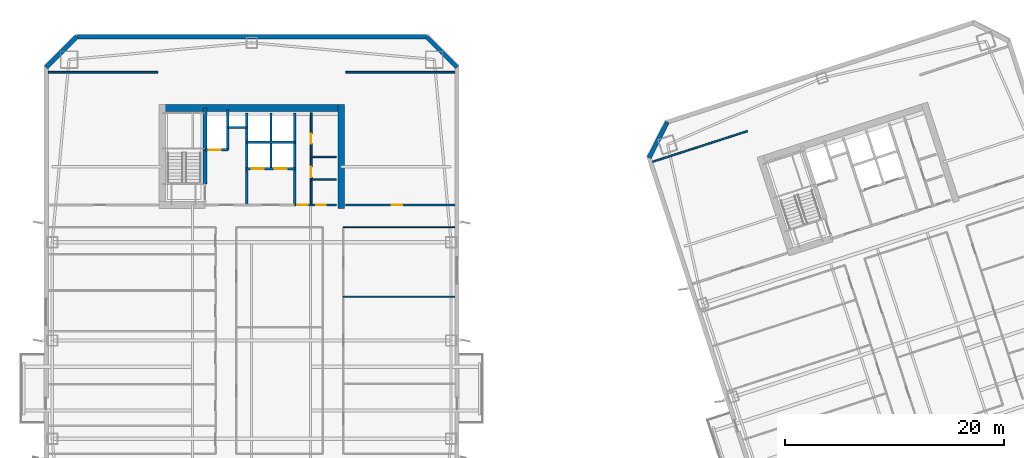
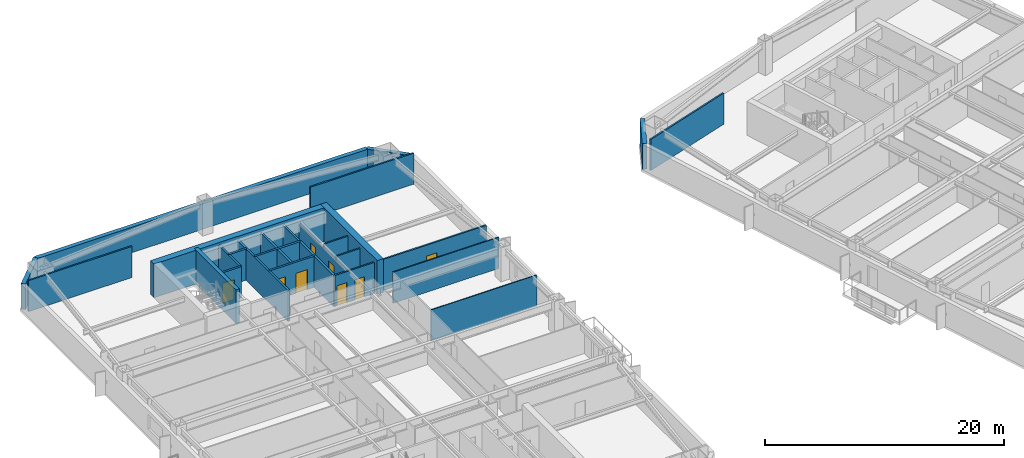
# One storey, part 6 of 16: 25 walls, 8 doors, 8 openings.
"""IFC4 building model written with IfcOpenShell, lengths in metres."""

from ifc_helpers import new_model, si_unit, direction, frame, frame_2d, origin, place, context, subcontext, project, spatial, rectangle, extrude, material, layer, layer_set, type_object, element, fill, save


model = new_model("IFC4")

# Units and contexts
model_context = context("Model", 3, precision=1e-05, world=origin(), true_north=direction((0.0, 1.0)))
body_context = subcontext(model_context, "Body", "Model", "MODEL_VIEW")
ifc_project = project(units=[si_unit("LENGTHUNIT", "METRE"), si_unit("AREAUNIT", "SQUARE_METRE"), si_unit("VOLUMEUNIT", "CUBIC_METRE"), si_unit("PLANEANGLEUNIT", "RADIAN"), si_unit("MASSUNIT", "GRAM", prefix="KILO")], contexts=[model_context])

# Site, building, storey
site_placement = place(None, origin())
site = spatial("IfcSite", under=ifc_project, at=site_placement, CompositionType="ELEMENT")
building_placement = place(site_placement, origin())
building = spatial("IfcBuilding", under=site, at=building_placement, Name="Qiaolan Cultural Towers", CompositionType="ELEMENT")
storey_placement = place(building_placement, frame((0.0, 0.0, 110.39990234375)))
storey = spatial("IfcBuildingStorey", under=building, at=storey_placement, Name="L28", CompositionType="ELEMENT", Elevation=110.39990234375)

# Walls
ifc_material_1 = material(Name="Concrete C50", Category="concrete")
ifc_layer_1 = layer(ifc_material_1, 0.35009765625)
ifc_layer_set_1 = layer_set([ifc_layer_1], Name="Concrete C50")
wall_type_1 = type_object("IfcWallType", Name="WL-CORE-350", PredefinedType="SHEAR", material=ifc_layer_set_1)
wall_1_placement = place(storey_placement, frame((25.719970703125, 48.300048828125, 0.0), z_axis=(0.0, 0.0, 1.0), x_axis=(0.0, 1.0, 0.0)))
element("IfcWall", 1, at=wall_1_placement, inside=storey, type_object=wall_type_1, Name="L28 T1-CN Stair Core Dividing Web", PredefinedType="SHEAR", context=body_context, shape_type="SweptSolid", body=[
    extrude(rectangle(XDim=6.97998046875, YDim=0.35009765625, at=frame_2d((3.489990234375, 0.0))), origin(), (0.0, 0.0, 1.0), 3.4501953125),
])
ifc_material_2 = material(Name="Concrete C55", Category="concrete")
ifc_layer_2 = layer(ifc_material_2, 0.60009765625)
ifc_layer_set_2 = layer_set([ifc_layer_2], Name="Concrete C55")
wall_type_2 = type_object("IfcWallType", Name="WL-CORE-600", PredefinedType="SHEAR", material=ifc_layer_set_2)
wall_2_placement = place(storey_placement, frame((21.5, 55.280029296875, 0.0), z_axis=(0.0, 0.0, 1.0), x_axis=(1.0, 0.0, 0.0)))
element("IfcWall", 2, at=wall_2_placement, inside=storey, type_object=wall_type_2, Name="L28 T1-CN Outer Core Shear Wall", PredefinedType="SHEAR", context=body_context, shape_type="SweptSolid", body=[
    extrude(rectangle(XDim=17.0, YDim=0.60009765625, at=frame_2d((8.5, 0.0))), origin(), (0.0, 0.0, 1.0), 3.4501953125),
])
wall_3_placement = place(storey_placement, frame((38.199951171875, 46.10009765625, 0.0), z_axis=(0.0, 0.0, 1.0), x_axis=(0.0, 1.0, 0.0)))
element("IfcWall", 3, at=wall_3_placement, inside=storey, type_object=wall_type_2, Name="L28 T1-CN East Core Shear Wall", PredefinedType="SHEAR", context=body_context, shape_type="SweptSolid", body=[
    extrude(rectangle(XDim=9.47998046875, YDim=0.60009765625, at=frame_2d((4.739990234375, 0.0))), origin(), (0.0, 0.0, 1.0), 3.4501953125),
])
ifc_material_3 = material(Name="Precast Concrete C50 Honed Stone Pier", Category="masonry")
ifc_layer_3 = layer(ifc_material_3, 0.39990234375)
ifc_layer_set_3 = layer_set([ifc_layer_3], Name="Precast Concrete C50 Honed Stone Pier")
wall_type_3 = type_object("IfcWallType", Name="WL-EXT-PIER-400", PredefinedType="SOLIDWALL", material=ifc_layer_set_3)
wall_4_placement = place(storey_placement, frame((11.199951171875, 59.0, 0.0), z_axis=(0.0, 0.0, 1.0), x_axis=(0.707106781187, 0.707106781187, 0.0)))
element("IfcWall", 4, at=wall_4_placement, inside=storey, type_object=wall_type_3, Name="L28 West Tower Precast Pier Facade Wall F2", PredefinedType="SOLIDWALL", context=body_context, shape_type="SweptSolid", body=[
    extrude(rectangle(XDim=3.9599609375, YDim=0.39990234375, at=frame_2d((1.97998046875, 0.0))), origin(), (0.0, 0.0, 1.0), 2.610107421875),
])
wall_5_placement = place(storey_placement, frame((14.0, 61.800048828125, 0.0), z_axis=(0.0, 0.0, 1.0), x_axis=(1.0, 0.0, 0.0)))
element("IfcWall", 5, at=wall_5_placement, inside=storey, type_object=wall_type_3, Name="L28 West Tower Precast Pier Facade Wall F3", PredefinedType="SOLIDWALL", context=body_context, shape_type="SweptSolid", body=[
    extrude(rectangle(XDim=32.0, YDim=0.39990234375, at=frame_2d((16.0, 0.0))), origin(), (0.0, 0.0, 1.0), 2.610107421875),
])
wall_6_placement = place(storey_placement, frame((46.0, 61.800048828125, 0.0), z_axis=(0.0, 0.0, 1.0), x_axis=(0.707106781187, -0.707106781187, 0.0)))
element("IfcWall", 6, at=wall_6_placement, inside=storey, type_object=wall_type_3, Name="L28 West Tower Precast Pier Facade Wall F4", PredefinedType="SOLIDWALL", context=body_context, shape_type="SweptSolid", body=[
    extrude(rectangle(XDim=3.9599609375, YDim=0.39990234375, at=frame_2d((1.97998046875, 0.0))), origin(), (0.0, 0.0, 1.0), 2.610107421875),
])
wall_7_placement = place(storey_placement, frame((66.37744140625, 50.718505859375, 0.0), z_axis=(0.0, 0.0, 1.0), x_axis=(0.454026238093, 0.890988313685, 0.0)))
element("IfcWall", 7, at=wall_7_placement, inside=storey, type_object=wall_type_3, Name="L28 East Tower Precast Pier Facade Wall F2", PredefinedType="SOLIDWALL", context=body_context, shape_type="SweptSolid", body=[
    extrude(rectangle(XDim=3.677001953125, YDim=0.39990234375, at=frame_2d((1.83837890625, 0.0))), origin(), (0.0, 0.0, 1.0), 2.610107421875),
])
ifc_material_4 = material(Name="Concrete C35 Fire Wall", Category="concrete")
ifc_layer_4 = layer(ifc_material_4, 0.199951171875)
ifc_layer_set_4 = layer_set([ifc_layer_4], Name="Concrete C35 Fire Wall")
wall_type_4 = type_object("IfcWallType", Name="WL-FIRE-200", PredefinedType="PARTITIONING", material=ifc_layer_set_4)
wall_8_placement = place(storey_placement, frame((29.550048828125, 46.39990234375, 0.0), z_axis=(0.0, 0.0, 1.0), x_axis=(0.0, 1.0, 0.0)))
element("IfcWall", 8, at=wall_8_placement, inside=storey, type_object=wall_type_4, Name="L28 T1-CN Firefighting Zone Wall", PredefinedType="PARTITIONING", context=body_context, shape_type="SweptSolid", body=[
    extrude(rectangle(XDim=8.43017578125, YDim=0.199951171875, at=frame_2d((4.215087890625, 0.0))), origin(), (0.0, 0.0, 1.0), 3.175048828125),
])

# Wall, opening, door
wall_9_placement = place(storey_placement, frame((25.719970703125, 51.449951171875, 0.0), z_axis=(0.0, 0.0, 1.0), x_axis=(1.0, 0.0, 0.0)))
wall_9 = element("IfcWall", 9, at=wall_9_placement, inside=storey, type_object=wall_type_4, Name="L28 T1-CN Firefighting Shaft Front Wall", PredefinedType="PARTITIONING", context=body_context, shape_type="SweptSolid", body=[
    extrude(rectangle(XDim=2.10009765625, YDim=0.199951171875, at=frame_2d((1.050048828125, 0.0))), origin(), (0.0, 0.0, 1.0), 3.175048828125),
])
opening_1_placement = place(wall_9_placement, frame((0.35009765625, 0.0, 0.0)))
opening_1 = element("IfcOpeningElement", 10, at=opening_1_placement, cuts=wall_9, Name="Opening LD-01", PredefinedType="OPENING", context=body_context, shape_type="SweptSolid", body=[
    extrude(rectangle(XDim=1.10009765625, YDim=2.050048828125, at=frame_2d((0.550048828125, 1.02490234375))), frame((0.0, 0.10986328125, 0.0), z_axis=(0.0, -1.0, 0.0), x_axis=(1.0, 0.0, 0.0)), (0.0, 0.0, 1.0), 0.219970703125),
])
ifc_material_5 = material(Name="Brushed Stainless Steel S30408 Centre-Parting Lift Landing Door", Category="steel")
door_type_1 = type_object("IfcDoorType", Name="DR-LIFT-1100", OperationType="NOTDEFINED", PredefinedType="DOOR", material=ifc_material_5)
door_1_placement = place(opening_1_placement, origin())
door_1 = element("IfcDoor", 11, at=door_1_placement, inside=storey, type_object=door_type_1, Name="L28 FFL-W2 Firefighting Lift Landing Door", OperationType="DOUBLE_DOOR_SLIDING", OverallHeight=2.050048828125, OverallWidth=1.10009765625, PredefinedType="DOOR", context=body_context, shape_type="SweptSolid", body=[
    extrude(rectangle(XDim=1.10009765625, YDim=2.050048828125, at=frame_2d((0.550048828125, 1.02490234375))), frame((0.0, 0.02490234375, 0.0), z_axis=(0.0, -1.0, 0.0), x_axis=(1.0, 0.0, 0.0)), (0.0, 0.0, 1.0), 0.050048828125),
])
fill(opening_1, door_1)

# Walls
wall_10_placement = place(storey_placement, frame((27.820068359375, 51.449951171875, 0.0), z_axis=(0.0, 0.0, 1.0), x_axis=(0.0, 1.0, 0.0)))
element("IfcWall", 12, at=wall_10_placement, inside=storey, type_object=wall_type_4, Name="L28 T1-CN Firefighting Hoistway East Wall", PredefinedType="PARTITIONING", context=body_context, shape_type="SweptSolid", body=[
    extrude(rectangle(XDim=3.699951171875, YDim=0.199951171875, at=frame_2d((1.85009765625, 0.0))), origin(), (0.0, 0.0, 1.0), 3.175048828125),
])
wall_11_placement = place(storey_placement, frame((27.820068359375, 53.47998046875, 0.0), z_axis=(0.0, 0.0, 1.0), x_axis=(1.0, 0.0, 0.0)))
element("IfcWall", 13, at=wall_11_placement, inside=storey, type_object=wall_type_4, Name="L28 T1-CN Pressurization Shaft Front Wall", PredefinedType="PARTITIONING", context=body_context, shape_type="SweptSolid", body=[
    extrude(rectangle(XDim=1.72998046875, YDim=0.199951171875, at=frame_2d((0.864990234375, 0.0))), origin(), (0.0, 0.0, 1.0), 3.175048828125),
])
wall_12_placement = place(storey_placement, frame((33.949951171875, 46.39990234375, 0.0), z_axis=(0.0, 0.0, 1.0), x_axis=(0.0, 1.0, 0.0)))
element("IfcWall", 14, at=wall_12_placement, inside=storey, type_object=wall_type_4, Name="L28 T1-CN Lift Core East Wall", PredefinedType="PARTITIONING", context=body_context, shape_type="SweptSolid", body=[
    extrude(rectangle(XDim=8.43017578125, YDim=0.199951171875, at=frame_2d((4.215087890625, 0.0))), origin(), (0.0, 0.0, 1.0), 3.175048828125),
])

# Wall, openings, doors
wall_13_placement = place(storey_placement, frame((29.550048828125, 49.719970703125, 0.0), z_axis=(0.0, 0.0, 1.0), x_axis=(1.0, 0.0, 0.0)))
wall_13 = element("IfcWall", 15, at=wall_13_placement, inside=storey, type_object=wall_type_4, Name="L28 T1-CN Passenger Lift Shaft Front Wall", PredefinedType="PARTITIONING", context=body_context, shape_type="SweptSolid", body=[
    extrude(rectangle(XDim=4.39990234375, YDim=0.199951171875, at=frame_2d((2.199951171875, 0.0))), origin(), (0.0, 0.0, 1.0), 3.175048828125),
])
opening_2_placement = place(wall_13_placement, frame((0.449951171875, 0.0, 0.0)))
opening_2 = element("IfcOpeningElement", 16, at=opening_2_placement, cuts=wall_13, Name="Opening LD-01", PredefinedType="OPENING", context=body_context, shape_type="SweptSolid", body=[
    extrude(rectangle(XDim=1.10009765625, YDim=2.050048828125, at=frame_2d((0.550048828125, 1.02490234375))), frame((0.0, 0.10986328125, 0.0), z_axis=(0.0, -1.0, 0.0), x_axis=(1.0, 0.0, 0.0)), (0.0, 0.0, 1.0), 0.219970703125),
])
opening_3_placement = place(wall_13_placement, frame((2.550048828125, 0.0, 0.0)))
opening_3 = element("IfcOpeningElement", 17, at=opening_3_placement, cuts=wall_13, Name="Opening LD-01", PredefinedType="OPENING", context=body_context, shape_type="SweptSolid", body=[
    extrude(rectangle(XDim=1.10009765625, YDim=2.050048828125, at=frame_2d((0.550048828125, 1.02490234375))), frame((0.0, 0.10986328125, 0.0), z_axis=(0.0, -1.0, 0.0), x_axis=(1.0, 0.0, 0.0)), (0.0, 0.0, 1.0), 0.219970703125),
])
door_2_placement = place(opening_2_placement, origin())
door_2 = element("IfcDoor", 18, at=door_2_placement, inside=storey, type_object=door_type_1, Name="L28 Passenger Lift 1 Landing Door", OperationType="DOUBLE_DOOR_SLIDING", OverallHeight=2.050048828125, OverallWidth=1.10009765625, PredefinedType="DOOR", context=body_context, shape_type="SweptSolid", body=[
    extrude(rectangle(XDim=1.10009765625, YDim=2.050048828125, at=frame_2d((0.550048828125, 1.02490234375))), frame((0.0, 0.02490234375, 0.0), z_axis=(0.0, -1.0, 0.0), x_axis=(1.0, 0.0, 0.0)), (0.0, 0.0, 1.0), 0.050048828125),
])
fill(opening_2, door_2)
door_3_placement = place(opening_3_placement, origin())
door_3 = element("IfcDoor", 19, at=door_3_placement, inside=storey, type_object=door_type_1, Name="L28 Passenger Lift 2 Landing Door", OperationType="DOUBLE_DOOR_SLIDING", OverallHeight=2.050048828125, OverallWidth=1.10009765625, PredefinedType="DOOR", context=body_context, shape_type="SweptSolid", body=[
    extrude(rectangle(XDim=1.10009765625, YDim=2.050048828125, at=frame_2d((0.550048828125, 1.02490234375))), frame((0.0, 0.02490234375, 0.0), z_axis=(0.0, -1.0, 0.0), x_axis=(1.0, 0.0, 0.0)), (0.0, 0.0, 1.0), 0.050048828125),
])
fill(opening_3, door_3)

# Walls
wall_14_placement = place(storey_placement, frame((31.780029296875, 49.719970703125, 0.0), z_axis=(0.0, 0.0, 1.0), x_axis=(0.0, 1.0, 0.0)))
element("IfcWall", 20, at=wall_14_placement, inside=storey, type_object=wall_type_4, Name="L28 T1-CN Lift Shaft Divider Wall", PredefinedType="PARTITIONING", context=body_context, shape_type="SweptSolid", body=[
    extrude(rectangle(XDim=5.110107421875, YDim=0.199951171875, at=frame_2d((2.55517578125, 0.0))), origin(), (0.0, 0.0, 1.0), 3.175048828125),
])
wall_15_placement = place(storey_placement, frame((29.550048828125, 52.14990234375, 0.0), z_axis=(0.0, 0.0, 1.0), x_axis=(1.0, 0.0, 0.0)))
element("IfcWall", 21, at=wall_15_placement, inside=storey, type_object=wall_type_4, Name="L28 T1-CN Passenger Lift Shaft Back Wall", PredefinedType="PARTITIONING", context=body_context, shape_type="SweptSolid", body=[
    extrude(rectangle(XDim=4.39990234375, YDim=0.199951171875, at=frame_2d((2.199951171875, 0.0))), origin(), (0.0, 0.0, 1.0), 3.175048828125),
])
ifc_material_6 = material(Name="Acoustic Double-Glazed Partition Frame", Category="glass")
ifc_layer_5 = layer(ifc_material_6, 0.10009765625)
ifc_layer_set_5 = layer_set([ifc_layer_5], Name="Acoustic Double-Glazed Partition Frame")
wall_type_5 = type_object("IfcWallType", Name="WL-GLAZED-100", PredefinedType="MOVABLE", material=ifc_layer_set_5)
for number, where, z_axis, x_axis, name in (
    (22, (38.39990234375, 44.35009765625, 0.0), (0.0, 0.0, 1.0), (1.0, 0.0, 0.0), "L28 T1 Interior Wall"),
    (23, (38.39990234375, 38.0, 0.0), (0.0, 0.0, 1.0), (1.0, 0.0, 0.0), "L28 T1 Interior Wall"),
):
    element("IfcWall", number, at=place(storey_placement, frame(where, z_axis=z_axis, x_axis=x_axis)), inside=storey, type_object=wall_type_5, Name=name, PredefinedType="MOVABLE", context=body_context, shape_type="SweptSolid", body=[
        extrude(rectangle(XDim=10.2001953125, YDim=0.10009765625, at=frame_2d((5.10009765625, 0.0))), origin(), (0.0, 0.0, 1.0), 3.175048828125),
    ])

# Wall, openings, doors
ifc_material_7 = material(Name="Autoclaved Aerated Concrete Block B06", Category="concrete")
ifc_layer_6 = layer(ifc_material_7, 0.14990234375)
ifc_layer_set_6 = layer_set([ifc_layer_6], Name="Autoclaved Aerated Concrete Block B06")
wall_type_6 = type_object("IfcWallType", Name="WL-PART-150", PredefinedType="PARTITIONING", material=ifc_layer_set_6)
wall_16_placement = place(storey_placement, frame((33.949951171875, 46.39990234375, 0.0), z_axis=(0.0, 0.0, 1.0), x_axis=(1.0, 0.0, 0.0)))
wall_16 = element("IfcWall", 24, at=wall_16_placement, inside=storey, type_object=wall_type_6, Name="L28 T1-CN Sanitary Core Front Wall", PredefinedType="PARTITIONING", context=body_context, shape_type="SweptSolid", body=[
    extrude(rectangle(XDim=3.800048828125, YDim=0.14990234375, at=frame_2d((1.89990234375, 0.0))), origin(), (0.0, 0.0, 1.0), 3.175048828125),
])
opening_4_placement = place(wall_16_placement, frame((0.219970703125, 0.0, 0.0)))
opening_4 = element("IfcOpeningElement", 25, at=opening_4_placement, cuts=wall_16, Name="Opening ID-05", PredefinedType="OPENING", context=body_context, shape_type="SweptSolid", body=[
    extrude(rectangle(XDim=0.949951171875, YDim=2.050048828125, at=frame_2d((0.47509765625, 1.02490234375))), frame((0.0, 0.0849609375, 0.0), z_axis=(0.0, -1.0, 0.0), x_axis=(1.0, 0.0, 0.0)), (0.0, 0.0, 1.0), 0.169921875),
])
opening_5_placement = place(wall_16_placement, frame((1.949951171875, 0.0, 0.0)))
opening_5 = element("IfcOpeningElement", 26, at=opening_5_placement, cuts=wall_16, Name="Opening ID-06", PredefinedType="OPENING", context=body_context, shape_type="SweptSolid", body=[
    extrude(rectangle(XDim=0.89990234375, YDim=2.050048828125, at=frame_2d((0.449951171875, 1.02490234375))), frame((0.0, 0.0849609375, 0.0), z_axis=(0.0, -1.0, 0.0), x_axis=(1.0, 0.0, 0.0)), (0.0, 0.0, 1.0), 0.169921875),
])
ifc_material_8 = material(Name="Fire-Rated Laminate Core Service Door", Category="timber")
door_type_2 = type_object("IfcDoorType", Name="DR-INT-900", OperationType="NOTDEFINED", PredefinedType="DOOR", material=ifc_material_8)
door_4_placement = place(opening_5_placement, origin())
door_4 = element("IfcDoor", 27, at=door_4_placement, inside=storey, type_object=door_type_2, Name="L28 Core Tea Pantry Door", OperationType="SINGLE_SWING_RIGHT", OverallHeight=2.050048828125, OverallWidth=0.89990234375, PredefinedType="DOOR", context=body_context, shape_type="SweptSolid", body=[
    extrude(rectangle(XDim=0.89990234375, YDim=2.050048828125, at=frame_2d((0.449951171875, 1.02490234375))), frame((0.0, 0.02490234375, 0.0), z_axis=(0.0, -1.0, 0.0), x_axis=(1.0, 0.0, 0.0)), (0.0, 0.0, 1.0), 0.050048828125),
])
fill(opening_5, door_4)
ifc_material_9 = material(Name="Fire-Rated Laminate Accessible Core Door", Category="timber")
door_type_3 = type_object("IfcDoorType", Name="DR-INT-950", OperationType="NOTDEFINED", PredefinedType="DOOR", material=ifc_material_9)
door_5_placement = place(opening_4_placement, origin())
door_5 = element("IfcDoor", 28, at=door_5_placement, inside=storey, type_object=door_type_3, Name="L28 Sanitary Passage Door", OperationType="SINGLE_SWING_LEFT", OverallHeight=2.050048828125, OverallWidth=0.949951171875, PredefinedType="DOOR", context=body_context, shape_type="SweptSolid", body=[
    extrude(rectangle(XDim=0.949951171875, YDim=2.050048828125, at=frame_2d((0.47509765625, 1.02490234375))), frame((0.0, 0.02490234375, 0.0), z_axis=(0.0, -1.0, 0.0), x_axis=(1.0, 0.0, 0.0)), (0.0, 0.0, 1.0), 0.050048828125),
])
fill(opening_4, door_5)

wall_17_placement = place(storey_placement, frame((35.449951171875, 46.39990234375, 0.0), z_axis=(0.0, 0.0, 1.0), x_axis=(0.0, 1.0, 0.0)))
wall_17 = element("IfcWall", 29, at=wall_17_placement, inside=storey, type_object=wall_type_6, Name="L28 T1-CN Sanitary Corridor Wall", PredefinedType="PARTITIONING", context=body_context, shape_type="SweptSolid", body=[
    extrude(rectangle(XDim=8.43017578125, YDim=0.14990234375, at=frame_2d((4.215087890625, 0.0))), origin(), (0.0, 0.0, 1.0), 2.76513671875),
])
opening_6_placement = place(wall_17_placement, frame((2.550048828125, 0.0, 0.0)))
opening_6 = element("IfcOpeningElement", 30, at=opening_6_placement, cuts=wall_17, Name="Opening ID-05", PredefinedType="OPENING", context=body_context, shape_type="SweptSolid", body=[
    extrude(rectangle(XDim=0.949951171875, YDim=2.050048828125, at=frame_2d((0.47509765625, 1.02490234375))), frame((0.0, 0.0849609375, 0.0), z_axis=(0.0, -1.0, 0.0), x_axis=(1.0, 0.0, 0.0)), (0.0, 0.0, 1.0), 0.169921875),
])
opening_7_placement = place(wall_17_placement, frame((5.60009765625, 0.0, 0.0)))
opening_7 = element("IfcOpeningElement", 31, at=opening_7_placement, cuts=wall_17, Name="Opening ID-06", PredefinedType="OPENING", context=body_context, shape_type="SweptSolid", body=[
    extrude(rectangle(XDim=0.89990234375, YDim=2.050048828125, at=frame_2d((0.449951171875, 1.02490234375))), frame((0.0, 0.0849609375, 0.0), z_axis=(0.0, -1.0, 0.0), x_axis=(1.0, 0.0, 0.0)), (0.0, 0.0, 1.0), 0.169921875),
])
door_6_placement = place(opening_7_placement, origin())
door_6 = element("IfcDoor", 32, at=door_6_placement, inside=storey, type_object=door_type_2, Name="L28 Staff Restroom Door", OperationType="SINGLE_SWING_RIGHT", OverallHeight=2.050048828125, OverallWidth=0.89990234375, PredefinedType="DOOR", context=body_context, shape_type="SweptSolid", body=[
    extrude(rectangle(XDim=0.89990234375, YDim=2.050048828125, at=frame_2d((0.449951171875, 1.02490234375))), frame((0.0, 0.02490234375, 0.0), z_axis=(0.0, -1.0, 0.0), x_axis=(1.0, 0.0, 0.0)), (0.0, 0.0, 1.0), 0.050048828125),
])
fill(opening_7, door_6)
door_7_placement = place(opening_6_placement, origin())
door_7 = element("IfcDoor", 33, at=door_7_placement, inside=storey, type_object=door_type_3, Name="L28 Accessible Washroom Door", OperationType="SINGLE_SWING_LEFT", OverallHeight=2.050048828125, OverallWidth=0.949951171875, PredefinedType="DOOR", context=body_context, shape_type="SweptSolid", body=[
    extrude(rectangle(XDim=0.949951171875, YDim=2.050048828125, at=frame_2d((0.47509765625, 1.02490234375))), frame((0.0, 0.02490234375, 0.0), z_axis=(0.0, -1.0, 0.0), x_axis=(1.0, 0.0, 0.0)), (0.0, 0.0, 1.0), 0.050048828125),
])
fill(opening_6, door_7)

# Walls
for number, where, z_axis, x_axis, name in (
    (34, (35.449951171875, 50.800048828125, 0.0), (0.0, 0.0, 1.0), (1.0, 0.0, 0.0), "L28 T1-CN Restroom Split Wall"),
    (35, (35.449951171875, 48.75, 0.0), (0.0, 0.0, 1.0), (1.0, 0.0, 0.0), "L28 T1-CN Core Pantry Wall"),
):
    element("IfcWall", number, at=place(storey_placement, frame(where, z_axis=z_axis, x_axis=x_axis)), inside=storey, type_object=wall_type_6, Name=name, PredefinedType="PARTITIONING", context=body_context, shape_type="SweptSolid", body=[
        extrude(rectangle(XDim=2.300048828125, YDim=0.14990234375, at=frame_2d((1.14990234375, 0.0))), origin(), (0.0, 0.0, 1.0), 3.175048828125),
    ])
for number, where, z_axis, x_axis, name in (
    (36, (11.39990234375, 58.550048828125, 0.0), (0.0, 0.0, 1.0), (1.0, 0.0, 0.0), "L28 T1 Flank Wall FLK-NW"),
    (37, (38.60009765625, 58.550048828125, 0.0), (0.0, 0.0, 1.0), (1.0, 0.0, 0.0), "L28 T1 Flank Wall FLK-NE"),
):
    element("IfcWall", number, at=place(storey_placement, frame(where, z_axis=z_axis, x_axis=x_axis)), inside=storey, type_object=wall_type_6, Name=name, PredefinedType="PARTITIONING", context=body_context, shape_type="SweptSolid", body=[
        extrude(rectangle(XDim=10.0, YDim=0.14990234375, at=frame_2d((5.0, 0.0))), origin(), (0.0, 0.0, 1.0), 3.175048828125),
    ])

# Wall, opening, door
wall_18_placement = place(storey_placement, frame((38.60009765625, 46.39990234375, 0.0), z_axis=(0.0, 0.0, 1.0), x_axis=(1.0, 0.0, 0.0)))
wall_18 = element("IfcWall", 38, at=wall_18_placement, inside=storey, type_object=wall_type_6, Name="L28 T1 Flank Front FLK-NE", PredefinedType="PARTITIONING", context=body_context, shape_type="SweptSolid", body=[
    extrude(rectangle(XDim=10.0, YDim=0.14990234375, at=frame_2d((5.0, 0.0))), origin(), (0.0, 0.0, 1.0), 3.175048828125),
])
opening_8_placement = place(wall_18_placement, frame((4.199951171875, 0.0, 0.0)))
opening_8 = element("IfcOpeningElement", 39, at=opening_8_placement, cuts=wall_18, Name="Opening ID-04", PredefinedType="OPENING", context=body_context, shape_type="SweptSolid", body=[
    extrude(rectangle(XDim=1.0, YDim=2.050048828125, at=frame_2d((0.5, 1.02490234375))), frame((0.0, 0.0849609375, 0.0), z_axis=(0.0, -1.0, 0.0), x_axis=(1.0, 0.0, 0.0)), (0.0, 0.0, 1.0), 0.169921875),
])
ifc_material_10 = material(Name="Oak Veneer Acoustic Office Door", Category="timber")
door_type_4 = type_object("IfcDoorType", Name="DR-INT-1000", OperationType="NOTDEFINED", PredefinedType="DOOR", material=ifc_material_10)
door_8_placement = place(opening_8_placement, origin())
door_8 = element("IfcDoor", 40, at=door_8_placement, inside=storey, type_object=door_type_4, Name="L28 T1 Corner Studio Door", OperationType="SINGLE_SWING_LEFT", OverallHeight=2.050048828125, OverallWidth=1.0, PredefinedType="DOOR", context=body_context, shape_type="SweptSolid", body=[
    extrude(rectangle(XDim=1.0, YDim=2.050048828125, at=frame_2d((0.5, 1.02490234375))), frame((0.0, 0.02490234375, 0.0), z_axis=(0.0, -1.0, 0.0), x_axis=(1.0, 0.0, 0.0)), (0.0, 0.0, 1.0), 0.050048828125),
])
fill(opening_8, door_8)

# Wall
wall_19_placement = place(storey_placement, frame((66.706787109375, 50.352294921875, 0.0), z_axis=(0.0, 0.0, 1.0), x_axis=(0.951057133767, 0.309015093986, 0.0)))
element("IfcWall", 41, at=wall_19_placement, inside=storey, type_object=wall_type_6, Name="L28 T2 Flank Wall FLK-NW", PredefinedType="PARTITIONING", context=body_context, shape_type="SweptSolid", body=[
    extrude(rectangle(XDim=9.099853515625, YDim=0.14990234375, at=frame_2d((4.5498046875, 0.0))), origin(), (0.0, 0.0, 1.0), 3.175048828125),
])

save(model, "model.ifc")
